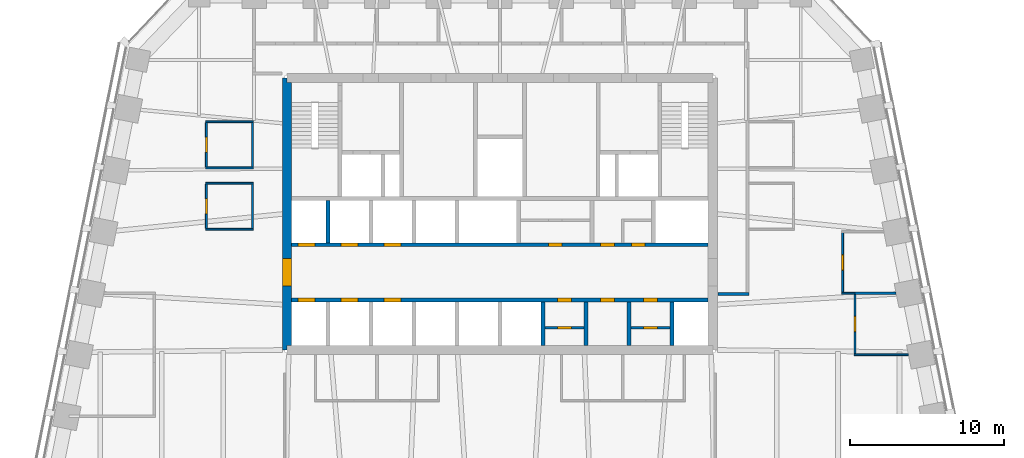
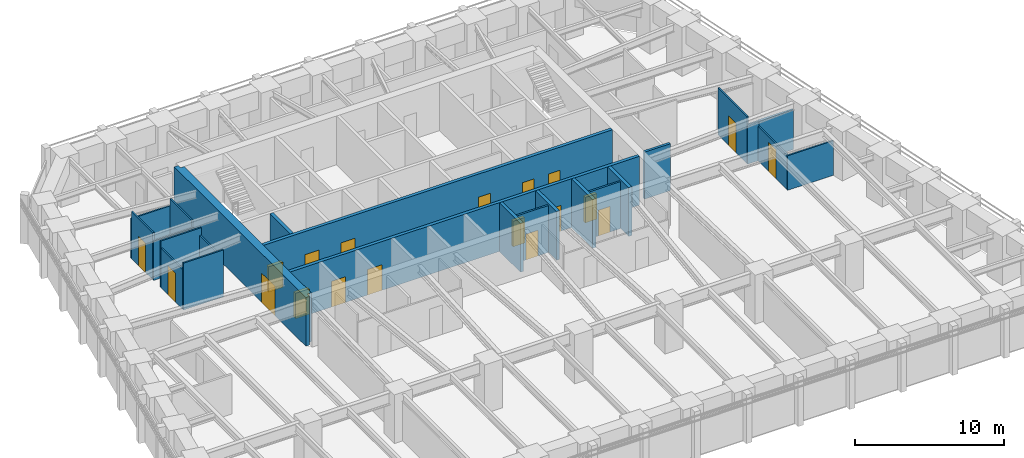
# One storey, part 6 of 10: 24 walls, 19 doors, 19 openings.
"""IFC4 building model written with IfcOpenShell, lengths in metres."""

from ifc_helpers import new_model, si_unit, direction, frame, frame_2d, origin, place, context, subcontext, project, spatial, polyline, rectangle, outline, extrude, material, layer, layer_set, type_object, element, fill, save


model = new_model("IFC4")

# Units and contexts
model_context = context("Model", 3, precision=1e-05, world=origin(), true_north=direction((0.0, 1.0)))
body_context = subcontext(model_context, "Body", "Model", "MODEL_VIEW")
ifc_project = project(units=[si_unit("LENGTHUNIT", "METRE"), si_unit("AREAUNIT", "SQUARE_METRE"), si_unit("VOLUMEUNIT", "CUBIC_METRE"), si_unit("PLANEANGLEUNIT", "RADIAN"), si_unit("MASSUNIT", "GRAM", prefix="KILO")], contexts=[model_context])

# Site, building, storey
site_placement = place(None, origin())
site = spatial("IfcSite", under=ifc_project, at=site_placement, CompositionType="ELEMENT")
building_placement = place(site_placement, origin())
building = spatial("IfcBuilding", under=site, at=building_placement, Name="Isbrekke Arena Tower", CompositionType="ELEMENT")
storey_placement = place(building_placement, frame((0.0, 0.0, 214.0)))
storey = spatial("IfcBuildingStorey", under=building, at=storey_placement, Name="L49", CompositionType="ELEMENT", Elevation=214.0)

# Wall, opening, door
ifc_material_1 = material(Name="Concrete B55 (C55/67)", Category="concrete")
ifc_layer_1 = layer(ifc_material_1, 0.60009765625)
ifc_layer_set_1 = layer_set([ifc_layer_1], Name="CW4 CORE WALL 600")
wall_type_1 = type_object("IfcWallType", Name="CW4 CORE WALL 600", PredefinedType="SHEAR", material=ifc_layer_set_1)
wall_1_placement = place(storey_placement, frame((-13.85009765625, 23.85009765625, 0.0), z_axis=(0.0, 0.0, 1.0), x_axis=(0.0, -1.0, 0.0)))
wall_1 = element("IfcWall", 1, at=wall_1_placement, inside=storey, type_object=wall_type_1, Name="Core wall W L49", PredefinedType="SHEAR", context=body_context, shape_type="SweptSolid", body=[
    extrude(outline(polyline([(0.0, -0.300048828125), (17.7001953125, -0.300048828125), (17.7001953125, 0.0), (17.400146484375, 0.0), (17.400146484375, 0.300048828125), (0.300048828125, 0.300048828125), (0.300048828125, 0.0), (0.0, 0.0), (0.0, -0.300048828125)])), origin(), (0.0, 0.0, 1.0), 4.0),
])
opening_1_placement = place(wall_1_placement, frame((11.75, 0.0, 0.0)))
opening_1 = element("IfcOpeningElement", 2, at=opening_1_placement, cuts=wall_1, Name="Opening D1", PredefinedType="OPENING", context=body_context, shape_type="SweptSolid", body=[
    extrude(rectangle(XDim=1.800048828125, YDim=2.39990234375, at=frame_2d((0.89990234375, 1.199951171875))), frame((0.0, 0.31494140625, 0.0), z_axis=(0.0, -1.0, 0.0), x_axis=(1.0, 0.0, 0.0)), (0.0, 0.0, 1.0), 0.6298828125),
])
ifc_material_2 = material(Name="Steel-framed glazed fire door", Category="steel")
door_type_1 = type_object("IfcDoorType", Name="D1 CORE LOBBY DOOR 1800 x 2400", OperationType="DOUBLE_DOOR_SINGLE_SWING", PredefinedType="DOOR", material=ifc_material_2)
door_1_placement = place(opening_1_placement, origin())
door_1 = element("IfcDoor", 3, at=door_1_placement, inside=storey, type_object=door_type_1, Name="D1 lift lobby door west L49", OperationType="DOUBLE_DOOR_SINGLE_SWING", OverallHeight=2.39990234375, OverallWidth=1.800048828125, PredefinedType="DOOR", context=body_context, shape_type="SweptSolid", body=[
    extrude(rectangle(XDim=1.800048828125, YDim=2.39990234375, at=frame_2d((0.89990234375, 1.199951171875))), frame((0.0, 0.2998046875, 0.0), z_axis=(0.0, -1.0, 0.0), x_axis=(1.0, 0.0, 0.0)), (0.0, 0.0, 1.0), 0.599609375),
])
fill(opening_1, door_1)

# Wall, openings, doors
ifc_material_3 = material(Name="Concrete B45 (C45/55)", Category="concrete")
ifc_layer_2 = layer(ifc_material_3, 0.25)
ifc_layer_set_2 = layer_set([ifc_layer_2], Name="CW6 SHAFT WALL 250")
wall_type_2 = type_object("IfcWallType", Name="CW6 SHAFT WALL 250", PredefinedType="SHEAR", material=ifc_layer_set_2)
wall_2_placement = place(storey_placement, frame((-13.550048828125, 9.39990234375, 0.0), z_axis=(0.0, 0.0, 1.0), x_axis=(1.0, 0.0, 0.0)))
wall_2 = element("IfcWall", 4, at=wall_2_placement, inside=storey, type_object=wall_type_2, Name="Core wall LS L49", PredefinedType="SHEAR", context=body_context, shape_type="SweptSolid", body=[
    extrude(rectangle(XDim=27.10009765625, YDim=0.25, at=frame_2d((13.550048828125, 0.0))), origin(), (0.0, 0.0, 1.0), 4.0),
])
opening_2_placement = place(wall_2_placement, frame((0.39990234375, 0.0, 0.0)))
opening_2 = element("IfcOpeningElement", 5, at=opening_2_placement, cuts=wall_2, Name="Opening LD1", PredefinedType="OPENING", context=body_context, shape_type="SweptSolid", body=[
    extrude(rectangle(XDim=1.10009765625, YDim=2.10009765625, at=frame_2d((0.550048828125, 1.050048828125))), frame((0.0, 0.139892578125, 0.0), z_axis=(0.0, -1.0, 0.0), x_axis=(1.0, 0.0, 0.0)), (0.0, 0.0, 1.0), 0.27978515625),
])
opening_3_placement = place(wall_2_placement, frame((3.199951171875, 0.0, 0.0)))
opening_3 = element("IfcOpeningElement", 6, at=opening_3_placement, cuts=wall_2, Name="Opening LD1", PredefinedType="OPENING", context=body_context, shape_type="SweptSolid", body=[
    extrude(rectangle(XDim=1.10009765625, YDim=2.10009765625, at=frame_2d((0.550048828125, 1.050048828125))), frame((0.0, 0.139892578125, 0.0), z_axis=(0.0, -1.0, 0.0), x_axis=(1.0, 0.0, 0.0)), (0.0, 0.0, 1.0), 0.27978515625),
])
opening_4_placement = place(wall_2_placement, frame((6.0, 0.0, 0.0)))
opening_4 = element("IfcOpeningElement", 7, at=opening_4_placement, cuts=wall_2, Name="Opening LD1", PredefinedType="OPENING", context=body_context, shape_type="SweptSolid", body=[
    extrude(rectangle(XDim=1.10009765625, YDim=2.10009765625, at=frame_2d((0.550048828125, 1.050048828125))), frame((0.0, 0.139892578125, 0.0), z_axis=(0.0, -1.0, 0.0), x_axis=(1.0, 0.0, 0.0)), (0.0, 0.0, 1.0), 0.27978515625),
])
opening_5_placement = place(wall_2_placement, frame((17.300048828125, 0.0, 0.0)))
opening_5 = element("IfcOpeningElement", 8, at=opening_5_placement, cuts=wall_2, Name="Opening D5", PredefinedType="OPENING", context=body_context, shape_type="SweptSolid", body=[
    extrude(rectangle(XDim=0.89990234375, YDim=2.10009765625, at=frame_2d((0.449951171875, 1.050048828125))), frame((0.0, 0.139892578125, 0.0), z_axis=(0.0, -1.0, 0.0), x_axis=(1.0, 0.0, 0.0)), (0.0, 0.0, 1.0), 0.27978515625),
])
opening_6_placement = place(wall_2_placement, frame((20.10009765625, 0.0, 0.0)))
opening_6 = element("IfcOpeningElement", 9, at=opening_6_placement, cuts=wall_2, Name="Opening D5", PredefinedType="OPENING", context=body_context, shape_type="SweptSolid", body=[
    extrude(rectangle(XDim=0.89990234375, YDim=2.10009765625, at=frame_2d((0.449951171875, 1.050048828125))), frame((0.0, 0.139892578125, 0.0), z_axis=(0.0, -1.0, 0.0), x_axis=(1.0, 0.0, 0.0)), (0.0, 0.0, 1.0), 0.27978515625),
])
opening_7_placement = place(wall_2_placement, frame((22.89990234375, 0.0, 0.0)))
opening_7 = element("IfcOpeningElement", 10, at=opening_7_placement, cuts=wall_2, Name="Opening D5", PredefinedType="OPENING", context=body_context, shape_type="SweptSolid", body=[
    extrude(rectangle(XDim=0.89990234375, YDim=2.10009765625, at=frame_2d((0.449951171875, 1.050048828125))), frame((0.0, 0.139892578125, 0.0), z_axis=(0.0, -1.0, 0.0), x_axis=(1.0, 0.0, 0.0)), (0.0, 0.0, 1.0), 0.27978515625),
])
ifc_material_4 = material(Name="Steel fire door", Category="steel")
door_type_2 = type_object("IfcDoorType", Name="D5 SERVICE DOOR 900 x 2100", OperationType="SINGLE_SWING_LEFT", PredefinedType="DOOR", material=ifc_material_4)
door_2_placement = place(opening_5_placement, origin())
door_2 = element("IfcDoor", 11, at=door_2_placement, inside=storey, type_object=door_type_2, Name="D5 tea point door L49", OperationType="SINGLE_SWING_LEFT", OverallHeight=2.10009765625, OverallWidth=0.89990234375, PredefinedType="DOOR", context=body_context, shape_type="SweptSolid", body=[
    extrude(rectangle(XDim=0.89990234375, YDim=2.10009765625, at=frame_2d((0.449951171875, 1.050048828125))), frame((0.0, 0.124755859375, 0.0), z_axis=(0.0, -1.0, 0.0), x_axis=(1.0, 0.0, 0.0)), (0.0, 0.0, 1.0), 0.24951171875),
])
fill(opening_5, door_2)
door_3_placement = place(opening_6_placement, origin())
door_3 = element("IfcDoor", 12, at=door_3_placement, inside=storey, type_object=door_type_2, Name="D5 technical room door L49", OperationType="SINGLE_SWING_LEFT", OverallHeight=2.10009765625, OverallWidth=0.89990234375, PredefinedType="DOOR", context=body_context, shape_type="SweptSolid", body=[
    extrude(rectangle(XDim=0.89990234375, YDim=2.10009765625, at=frame_2d((0.449951171875, 1.050048828125))), frame((0.0, 0.124755859375, 0.0), z_axis=(0.0, -1.0, 0.0), x_axis=(1.0, 0.0, 0.0)), (0.0, 0.0, 1.0), 0.24951171875),
])
fill(opening_6, door_3)
door_4_placement = place(opening_7_placement, origin())
door_4 = element("IfcDoor", 13, at=door_4_placement, inside=storey, type_object=door_type_2, Name="D5 first-aid room door L49", OperationType="SINGLE_SWING_LEFT", OverallHeight=2.10009765625, OverallWidth=0.89990234375, PredefinedType="DOOR", context=body_context, shape_type="SweptSolid", body=[
    extrude(rectangle(XDim=0.89990234375, YDim=2.10009765625, at=frame_2d((0.449951171875, 1.050048828125))), frame((0.0, 0.124755859375, 0.0), z_axis=(0.0, -1.0, 0.0), x_axis=(1.0, 0.0, 0.0)), (0.0, 0.0, 1.0), 0.24951171875),
])
fill(opening_7, door_4)
ifc_material_5 = material(Name="Stainless steel lift landing door", Category="steel")
door_type_3 = type_object("IfcDoorType", Name="LD1 LIFT LANDING DOOR 1100 x 2100", OperationType="SLIDING_TO_LEFT", PredefinedType="DOOR", material=ifc_material_5)
door_5_placement = place(opening_2_placement, origin())
door_5 = element("IfcDoor", 14, at=door_5_placement, inside=storey, type_object=door_type_3, Name="LD1 lift landing door LC L49", OperationType="SLIDING_TO_LEFT", OverallHeight=2.10009765625, OverallWidth=1.10009765625, PredefinedType="DOOR", context=body_context, shape_type="SweptSolid", body=[
    extrude(rectangle(XDim=1.10009765625, YDim=2.10009765625, at=frame_2d((0.550048828125, 1.050048828125))), frame((0.0, 0.124755859375, 0.0), z_axis=(0.0, -1.0, 0.0), x_axis=(1.0, 0.0, 0.0)), (0.0, 0.0, 1.0), 0.24951171875),
])
fill(opening_2, door_5)
door_6_placement = place(opening_3_placement, origin())
door_6 = element("IfcDoor", 15, at=door_6_placement, inside=storey, type_object=door_type_3, Name="LD1 lift landing door LC L49", OperationType="SLIDING_TO_LEFT", OverallHeight=2.10009765625, OverallWidth=1.10009765625, PredefinedType="DOOR", context=body_context, shape_type="SweptSolid", body=[
    extrude(rectangle(XDim=1.10009765625, YDim=2.10009765625, at=frame_2d((0.550048828125, 1.050048828125))), frame((0.0, 0.124755859375, 0.0), z_axis=(0.0, -1.0, 0.0), x_axis=(1.0, 0.0, 0.0)), (0.0, 0.0, 1.0), 0.24951171875),
])
fill(opening_3, door_6)
door_7_placement = place(opening_4_placement, origin())
door_7 = element("IfcDoor", 16, at=door_7_placement, inside=storey, type_object=door_type_3, Name="LD1 lift landing door LC L49", OperationType="SLIDING_TO_LEFT", OverallHeight=2.10009765625, OverallWidth=1.10009765625, PredefinedType="DOOR", context=body_context, shape_type="SweptSolid", body=[
    extrude(rectangle(XDim=1.10009765625, YDim=2.10009765625, at=frame_2d((0.550048828125, 1.050048828125))), frame((0.0, 0.124755859375, 0.0), z_axis=(0.0, -1.0, 0.0), x_axis=(1.0, 0.0, 0.0)), (0.0, 0.0, 1.0), 0.24951171875),
])
fill(opening_4, door_7)

wall_3_placement = place(storey_placement, frame((-13.550048828125, 13.0, 0.0), z_axis=(0.0, 0.0, 1.0), x_axis=(1.0, 0.0, 0.0)))
wall_3 = element("IfcWall", 17, at=wall_3_placement, inside=storey, type_object=wall_type_2, Name="Core wall LN L49", PredefinedType="SHEAR", context=body_context, shape_type="SweptSolid", body=[
    extrude(rectangle(XDim=27.10009765625, YDim=0.25, at=frame_2d((13.550048828125, 0.0))), origin(), (0.0, 0.0, 1.0), 4.0),
])
opening_8_placement = place(wall_3_placement, frame((0.39990234375, 0.0, 0.0)))
opening_8 = element("IfcOpeningElement", 18, at=opening_8_placement, cuts=wall_3, Name="Opening LD1", PredefinedType="OPENING", context=body_context, shape_type="SweptSolid", body=[
    extrude(rectangle(XDim=1.10009765625, YDim=2.10009765625, at=frame_2d((0.550048828125, 1.050048828125))), frame((0.0, 0.139892578125, 0.0), z_axis=(0.0, -1.0, 0.0), x_axis=(1.0, 0.0, 0.0)), (0.0, 0.0, 1.0), 0.27978515625),
])
opening_9_placement = place(wall_3_placement, frame((3.199951171875, 0.0, 0.0)))
opening_9 = element("IfcOpeningElement", 19, at=opening_9_placement, cuts=wall_3, Name="Opening LD1", PredefinedType="OPENING", context=body_context, shape_type="SweptSolid", body=[
    extrude(rectangle(XDim=1.10009765625, YDim=2.10009765625, at=frame_2d((0.550048828125, 1.050048828125))), frame((0.0, 0.139892578125, 0.0), z_axis=(0.0, -1.0, 0.0), x_axis=(1.0, 0.0, 0.0)), (0.0, 0.0, 1.0), 0.27978515625),
])
opening_10_placement = place(wall_3_placement, frame((6.0, 0.0, 0.0)))
opening_10 = element("IfcOpeningElement", 20, at=opening_10_placement, cuts=wall_3, Name="Opening LD1", PredefinedType="OPENING", context=body_context, shape_type="SweptSolid", body=[
    extrude(rectangle(XDim=1.10009765625, YDim=2.10009765625, at=frame_2d((0.550048828125, 1.050048828125))), frame((0.0, 0.139892578125, 0.0), z_axis=(0.0, -1.0, 0.0), x_axis=(1.0, 0.0, 0.0)), (0.0, 0.0, 1.0), 0.27978515625),
])
opening_11_placement = place(wall_3_placement, frame((16.699951171875, 0.0, 0.0)))
opening_11 = element("IfcOpeningElement", 21, at=opening_11_placement, cuts=wall_3, Name="Opening D5", PredefinedType="OPENING", context=body_context, shape_type="SweptSolid", body=[
    extrude(rectangle(XDim=0.89990234375, YDim=2.10009765625, at=frame_2d((0.449951171875, 1.050048828125))), frame((0.0, 0.139892578125, 0.0), z_axis=(0.0, -1.0, 0.0), x_axis=(1.0, 0.0, 0.0)), (0.0, 0.0, 1.0), 0.27978515625),
])
opening_12_placement = place(wall_3_placement, frame((20.10009765625, 0.0, 0.0)))
opening_12 = element("IfcOpeningElement", 22, at=opening_12_placement, cuts=wall_3, Name="Opening D5", PredefinedType="OPENING", context=body_context, shape_type="SweptSolid", body=[
    extrude(rectangle(XDim=0.89990234375, YDim=2.10009765625, at=frame_2d((0.449951171875, 1.050048828125))), frame((0.0, 0.139892578125, 0.0), z_axis=(0.0, -1.0, 0.0), x_axis=(1.0, 0.0, 0.0)), (0.0, 0.0, 1.0), 0.27978515625),
])
opening_13_placement = place(wall_3_placement, frame((22.10009765625, 0.0, 0.0)))
opening_13 = element("IfcOpeningElement", 23, at=opening_13_placement, cuts=wall_3, Name="Opening D5", PredefinedType="OPENING", context=body_context, shape_type="SweptSolid", body=[
    extrude(rectangle(XDim=0.89990234375, YDim=2.10009765625, at=frame_2d((0.449951171875, 1.050048828125))), frame((0.0, 0.139892578125, 0.0), z_axis=(0.0, -1.0, 0.0), x_axis=(1.0, 0.0, 0.0)), (0.0, 0.0, 1.0), 0.27978515625),
])
door_8_placement = place(opening_11_placement, origin())
door_8 = element("IfcDoor", 24, at=door_8_placement, inside=storey, type_object=door_type_2, Name="D5 print room door L49", OperationType="SINGLE_SWING_LEFT", OverallHeight=2.10009765625, OverallWidth=0.89990234375, PredefinedType="DOOR", context=body_context, shape_type="SweptSolid", body=[
    extrude(rectangle(XDim=0.89990234375, YDim=2.10009765625, at=frame_2d((0.449951171875, 1.050048828125))), frame((0.0, 0.124755859375, 0.0), z_axis=(0.0, -1.0, 0.0), x_axis=(1.0, 0.0, 0.0)), (0.0, 0.0, 1.0), 0.24951171875),
])
fill(opening_11, door_8)
door_9_placement = place(opening_12_placement, origin())
door_9 = element("IfcDoor", 25, at=door_9_placement, inside=storey, type_object=door_type_2, Name="D5 communications room door L49", OperationType="SINGLE_SWING_LEFT", OverallHeight=2.10009765625, OverallWidth=0.89990234375, PredefinedType="DOOR", context=body_context, shape_type="SweptSolid", body=[
    extrude(rectangle(XDim=0.89990234375, YDim=2.10009765625, at=frame_2d((0.449951171875, 1.050048828125))), frame((0.0, 0.124755859375, 0.0), z_axis=(0.0, -1.0, 0.0), x_axis=(1.0, 0.0, 0.0)), (0.0, 0.0, 1.0), 0.24951171875),
])
fill(opening_12, door_9)
door_10_placement = place(opening_13_placement, origin())
door_10 = element("IfcDoor", 26, at=door_10_placement, inside=storey, type_object=door_type_2, Name="D5 cleaner's store door L49", OperationType="SINGLE_SWING_LEFT", OverallHeight=2.10009765625, OverallWidth=0.89990234375, PredefinedType="DOOR", context=body_context, shape_type="SweptSolid", body=[
    extrude(rectangle(XDim=0.89990234375, YDim=2.10009765625, at=frame_2d((0.449951171875, 1.050048828125))), frame((0.0, 0.124755859375, 0.0), z_axis=(0.0, -1.0, 0.0), x_axis=(1.0, 0.0, 0.0)), (0.0, 0.0, 1.0), 0.24951171875),
])
fill(opening_13, door_10)
door_11_placement = place(opening_8_placement, origin())
door_11 = element("IfcDoor", 27, at=door_11_placement, inside=storey, type_object=door_type_3, Name="LD1 lift landing door LC L49", OperationType="SLIDING_TO_LEFT", OverallHeight=2.10009765625, OverallWidth=1.10009765625, PredefinedType="DOOR", context=body_context, shape_type="SweptSolid", body=[
    extrude(rectangle(XDim=1.10009765625, YDim=2.10009765625, at=frame_2d((0.550048828125, 1.050048828125))), frame((0.0, 0.124755859375, 0.0), z_axis=(0.0, -1.0, 0.0), x_axis=(1.0, 0.0, 0.0)), (0.0, 0.0, 1.0), 0.24951171875),
])
fill(opening_8, door_11)
door_12_placement = place(opening_9_placement, origin())
door_12 = element("IfcDoor", 28, at=door_12_placement, inside=storey, type_object=door_type_3, Name="LD1 lift landing door LC L49", OperationType="SLIDING_TO_LEFT", OverallHeight=2.10009765625, OverallWidth=1.10009765625, PredefinedType="DOOR", context=body_context, shape_type="SweptSolid", body=[
    extrude(rectangle(XDim=1.10009765625, YDim=2.10009765625, at=frame_2d((0.550048828125, 1.050048828125))), frame((0.0, 0.124755859375, 0.0), z_axis=(0.0, -1.0, 0.0), x_axis=(1.0, 0.0, 0.0)), (0.0, 0.0, 1.0), 0.24951171875),
])
fill(opening_9, door_12)
door_13_placement = place(opening_10_placement, origin())
door_13 = element("IfcDoor", 29, at=door_13_placement, inside=storey, type_object=door_type_3, Name="LD1 lift landing door LC L49", OperationType="SLIDING_TO_LEFT", OverallHeight=2.10009765625, OverallWidth=1.10009765625, PredefinedType="DOOR", context=body_context, shape_type="SweptSolid", body=[
    extrude(rectangle(XDim=1.10009765625, YDim=2.10009765625, at=frame_2d((0.550048828125, 1.050048828125))), frame((0.0, 0.124755859375, 0.0), z_axis=(0.0, -1.0, 0.0), x_axis=(1.0, 0.0, 0.0)), (0.0, 0.0, 1.0), 0.24951171875),
])
fill(opening_10, door_13)

# Walls
for number, where, z_axis, x_axis, name in (
    (30, (2.800048828125, 6.449951171875, 0.0), (0.0, 0.0, 1.0), (0.0, 1.0, 0.0), "Core wall SS06 L49"),
    (31, (5.60009765625, 6.449951171875, 0.0), (0.0, 0.0, 1.0), (0.0, 1.0, 0.0), "Core wall SS07 L49"),
    (32, (8.39990234375, 6.449951171875, 0.0), (0.0, 0.0, 1.0), (0.0, 1.0, 0.0), "Core wall SS08 L49"),
    (33, (11.199951171875, 6.449951171875, 0.0), (0.0, 0.0, 1.0), (0.0, 1.0, 0.0), "Core wall SS09 L49"),
):
    element("IfcWall", number, at=place(storey_placement, frame(where, z_axis=z_axis, x_axis=x_axis)), inside=storey, type_object=wall_type_2, Name=name, PredefinedType="SHEAR", context=body_context, shape_type="SweptSolid", body=[
        extrude(rectangle(XDim=2.824951171875, YDim=0.25, at=frame_2d((1.41259765625, 0.0))), origin(), (0.0, 0.0, 1.0), 4.0),
    ])
wall_4_placement = place(storey_placement, frame((-11.199951171875, 13.125, 0.0), z_axis=(0.0, 0.0, 1.0), x_axis=(0.0, 1.0, 0.0)))
element("IfcWall", 34, at=wall_4_placement, inside=storey, type_object=wall_type_2, Name="Core wall SN01 L49", PredefinedType="SHEAR", context=body_context, shape_type="SweptSolid", body=[
    extrude(rectangle(XDim=2.75, YDim=0.25, at=frame_2d((1.375, 0.0))), origin(), (0.0, 0.0, 1.0), 4.0),
])
ifc_material_6 = material(Name="Frameless glazed partition, laminated acoustic glass", Category="glass")
ifc_layer_3 = layer(ifc_material_6, 0.1201171875)
ifc_layer_set_3 = layer_set([ifc_layer_3], Name="IW2 GLAZED PARTITION 120")
wall_type_3 = type_object("IfcWallType", Name="IW2 GLAZED PARTITION 120", PredefinedType="PARTITIONING", material=ifc_layer_set_3)
wall_5_placement = place(storey_placement, frame((23.0400390625, 5.840087890625, 0.0), z_axis=(0.0, 0.0, 1.0), x_axis=(1.0, 0.0, 0.0)))
element("IfcWall", 35, at=wall_5_placement, inside=storey, type_object=wall_type_3, Name="IW2 glazed partition 120 L49", PredefinedType="PARTITIONING", context=body_context, shape_type="SweptSolid", body=[
    extrude(rectangle(XDim=3.53466796875, YDim=0.1201171875, at=frame_2d((1.767333984375, 0.0))), origin(), (0.0, 0.0, 1.0), 2.842041015625),
])
wall_6_placement = place(storey_placement, frame((22.239990234375, 9.840087890625, 0.0), z_axis=(0.0, 0.0, 1.0), x_axis=(1.0, 0.0, 0.0)))
element("IfcWall", 36, at=wall_6_placement, inside=storey, type_object=wall_type_3, Name="IW2 glazed partition 120 L49", PredefinedType="PARTITIONING", context=body_context, shape_type="SweptSolid", body=[
    extrude(rectangle(XDim=0.860107421875, YDim=0.1201171875, at=frame_2d((0.43017578125, 0.0))), origin(), (0.0, 0.0, 1.0), 3.25),
])
for number, where, z_axis, x_axis, name in (
    (37, (-19.159912109375, 14.0, 0.0), (0.0, 0.0, 1.0), (1.0, 0.0, 0.0), "IW2 glazed partition 120 L49"),
    (38, (-19.159912109375, 17.0, 0.0), (0.0, 0.0, 1.0), (1.0, 0.0, 0.0), "IW2 glazed partition 120 L49"),
):
    element("IfcWall", number, at=place(storey_placement, frame(where, z_axis=z_axis, x_axis=x_axis)), inside=storey, type_object=wall_type_3, Name=name, PredefinedType="PARTITIONING", context=body_context, shape_type="SweptSolid", body=[
        extrude(rectangle(XDim=3.119873046875, YDim=0.1201171875, at=frame_2d((1.56005859375, 0.0))), origin(), (0.0, 0.0, 1.0), 3.85009765625),
    ])
for number, where, z_axis, x_axis, name in (
    (39, (-19.159912109375, 18.0, 0.0), (0.0, 0.0, 1.0), (1.0, 0.0, 0.0), "IW2 glazed partition 120 L49"),
    (40, (-19.159912109375, 21.0, 0.0), (0.0, 0.0, 1.0), (1.0, 0.0, 0.0), "IW2 glazed partition 120 L49"),
):
    element("IfcWall", number, at=place(storey_placement, frame(where, z_axis=z_axis, x_axis=x_axis)), inside=storey, type_object=wall_type_3, Name=name, PredefinedType="PARTITIONING", context=body_context, shape_type="SweptSolid", body=[
        extrude(rectangle(XDim=3.119873046875, YDim=0.1201171875, at=frame_2d((1.56005859375, 0.0))), origin(), (0.0, 0.0, 1.0), 3.25),
    ])

# Wall, opening, door
wall_7_placement = place(storey_placement, frame((-19.10009765625, 14.06005859375, 0.0), z_axis=(0.0, 0.0, 1.0), x_axis=(0.0, 1.0, 0.0)))
wall_7 = element("IfcWall", 41, at=wall_7_placement, inside=storey, type_object=wall_type_3, Name="IW2 glazed partition 120 L49", PredefinedType="PARTITIONING", context=body_context, shape_type="SweptSolid", body=[
    extrude(rectangle(XDim=2.8798828125, YDim=0.1201171875, at=frame_2d((1.43994140625, 0.0))), origin(), (0.0, 0.0, 1.0), 3.25),
])
opening_14_placement = place(wall_7_placement, frame((0.93994140625, 0.0, 0.0)))
opening_14 = element("IfcOpeningElement", 42, at=opening_14_placement, cuts=wall_7, Name="Opening D11", PredefinedType="OPENING", context=body_context, shape_type="SweptSolid", body=[
    extrude(rectangle(XDim=1.0, YDim=2.39990234375, at=frame_2d((0.5, 1.199951171875))), frame((0.0, 0.074951171875, 0.0), z_axis=(0.0, -1.0, 0.0), x_axis=(1.0, 0.0, 0.0)), (0.0, 0.0, 1.0), 0.14990234375),
])
ifc_material_7 = material(Name="Frameless glazed door", Category="glass")
door_type_4 = type_object("IfcDoorType", Name="D11 GLAZED MEETING ROOM DOOR 1000 x 2400", OperationType="SINGLE_SWING_RIGHT", PredefinedType="DOOR", material=ifc_material_7)
door_14_placement = place(opening_14_placement, origin())
door_14 = element("IfcDoor", 43, at=door_14_placement, inside=storey, type_object=door_type_4, Name="D11 quiet room door L49", OperationType="SINGLE_SWING_RIGHT", OverallHeight=2.39990234375, OverallWidth=1.0, PredefinedType="DOOR", context=body_context, shape_type="SweptSolid", body=[
    extrude(rectangle(XDim=1.0, YDim=2.39990234375, at=frame_2d((0.5, 1.199951171875))), frame((0.0, 0.059814453125, 0.0), z_axis=(0.0, -1.0, 0.0), x_axis=(1.0, 0.0, 0.0)), (0.0, 0.0, 1.0), 0.11962890625),
])
fill(opening_14, door_14)

wall_8_placement = place(storey_placement, frame((-19.10009765625, 18.06005859375, 0.0), z_axis=(0.0, 0.0, 1.0), x_axis=(0.0, 1.0, 0.0)))
wall_8 = element("IfcWall", 44, at=wall_8_placement, inside=storey, type_object=wall_type_3, Name="IW2 glazed partition 120 L49", PredefinedType="PARTITIONING", context=body_context, shape_type="SweptSolid", body=[
    extrude(rectangle(XDim=2.8798828125, YDim=0.1201171875, at=frame_2d((1.43994140625, 0.0))), origin(), (0.0, 0.0, 1.0), 3.85009765625),
])
opening_15_placement = place(wall_8_placement, frame((0.93994140625, 0.0, 0.0)))
opening_15 = element("IfcOpeningElement", 45, at=opening_15_placement, cuts=wall_8, Name="Opening D11", PredefinedType="OPENING", context=body_context, shape_type="SweptSolid", body=[
    extrude(rectangle(XDim=1.0, YDim=2.39990234375, at=frame_2d((0.5, 1.199951171875))), frame((0.0, 0.074951171875, 0.0), z_axis=(0.0, -1.0, 0.0), x_axis=(1.0, 0.0, 0.0)), (0.0, 0.0, 1.0), 0.14990234375),
])
door_15_placement = place(opening_15_placement, origin())
door_15 = element("IfcDoor", 46, at=door_15_placement, inside=storey, type_object=door_type_4, Name="D11 quiet room door L49", OperationType="SINGLE_SWING_RIGHT", OverallHeight=2.39990234375, OverallWidth=1.0, PredefinedType="DOOR", context=body_context, shape_type="SweptSolid", body=[
    extrude(rectangle(XDim=1.0, YDim=2.39990234375, at=frame_2d((0.5, 1.199951171875))), frame((0.0, 0.059814453125, 0.0), z_axis=(0.0, -1.0, 0.0), x_axis=(1.0, 0.0, 0.0)), (0.0, 0.0, 1.0), 0.11962890625),
])
fill(opening_15, door_15)

# Walls
wall_9_placement = place(storey_placement, frame((-16.10009765625, 14.06005859375, 0.0), z_axis=(0.0, 0.0, 1.0), x_axis=(0.0, 1.0, 0.0)))
element("IfcWall", 47, at=wall_9_placement, inside=storey, type_object=wall_type_3, Name="IW2 glazed partition 120 L49", PredefinedType="PARTITIONING", context=body_context, shape_type="SweptSolid", body=[
    extrude(rectangle(XDim=2.8798828125, YDim=0.1201171875, at=frame_2d((1.43994140625, 0.0))), origin(), (0.0, 0.0, 1.0), 3.25),
])
wall_10_placement = place(storey_placement, frame((-16.10009765625, 18.06005859375, 0.0), z_axis=(0.0, 0.0, 1.0), x_axis=(0.0, 1.0, 0.0)))
element("IfcWall", 48, at=wall_10_placement, inside=storey, type_object=wall_type_3, Name="IW2 glazed partition 120 L49", PredefinedType="PARTITIONING", context=body_context, shape_type="SweptSolid", body=[
    extrude(rectangle(XDim=2.8798828125, YDim=0.1201171875, at=frame_2d((1.43994140625, 0.0))), origin(), (0.0, 0.0, 1.0), 3.85009765625),
])

# Wall, opening, door
wall_11_placement = place(storey_placement, frame((22.300048828125, 9.89990234375, 0.0), z_axis=(0.0, 0.0, 1.0), x_axis=(0.0, 1.0, 0.0)))
wall_11 = element("IfcWall", 49, at=wall_11_placement, inside=storey, type_object=wall_type_3, Name="IW2 glazed partition 120 L49", PredefinedType="PARTITIONING", context=body_context, shape_type="SweptSolid", body=[
    extrude(rectangle(XDim=3.880126953125, YDim=0.1201171875, at=frame_2d((1.93994140625, 0.0))), origin(), (0.0, 0.0, 1.0), 3.85009765625),
])
opening_16_placement = place(wall_11_placement, frame((1.43994140625, 0.0, 0.0)))
opening_16 = element("IfcOpeningElement", 50, at=opening_16_placement, cuts=wall_11, Name="Opening D11", PredefinedType="OPENING", context=body_context, shape_type="SweptSolid", body=[
    extrude(rectangle(XDim=1.0, YDim=2.39990234375, at=frame_2d((0.5, 1.199951171875))), frame((0.0, 0.074951171875, 0.0), z_axis=(0.0, -1.0, 0.0), x_axis=(1.0, 0.0, 0.0)), (0.0, 0.0, 1.0), 0.14990234375),
])
door_16_placement = place(opening_16_placement, origin())
door_16 = element("IfcDoor", 51, at=door_16_placement, inside=storey, type_object=door_type_4, Name="D11 meeting room door L49", OperationType="SINGLE_SWING_RIGHT", OverallHeight=2.39990234375, OverallWidth=1.0, PredefinedType="DOOR", context=body_context, shape_type="SweptSolid", body=[
    extrude(rectangle(XDim=1.0, YDim=2.39990234375, at=frame_2d((0.5, 1.199951171875))), frame((0.0, 0.059814453125, 0.0), z_axis=(0.0, -1.0, 0.0), x_axis=(1.0, 0.0, 0.0)), (0.0, 0.0, 1.0), 0.11962890625),
])
fill(opening_16, door_16)

wall_12_placement = place(storey_placement, frame((23.10009765625, 5.89990234375, 0.0), z_axis=(0.0, 0.0, 1.0), x_axis=(0.0, 1.0, 0.0)))
wall_12 = element("IfcWall", 52, at=wall_12_placement, inside=storey, type_object=wall_type_3, Name="IW2 glazed partition 120 L49", PredefinedType="PARTITIONING", context=body_context, shape_type="SweptSolid", body=[
    extrude(rectangle(XDim=3.8525390625, YDim=0.1201171875, at=frame_2d((1.92626953125, 0.0))), origin(), (0.0, 0.0, 1.0), 2.842041015625),
])
opening_17_placement = place(wall_12_placement, frame((1.43994140625, 0.0, 0.0)))
opening_17 = element("IfcOpeningElement", 53, at=opening_17_placement, cuts=wall_12, Name="Opening D11", PredefinedType="OPENING", context=body_context, shape_type="SweptSolid", body=[
    extrude(rectangle(XDim=1.0, YDim=2.39990234375, at=frame_2d((0.5, 1.199951171875))), frame((0.0, 0.074951171875, 0.0), z_axis=(0.0, -1.0, 0.0), x_axis=(1.0, 0.0, 0.0)), (0.0, 0.0, 1.0), 0.14990234375),
])
door_17_placement = place(opening_17_placement, origin())
door_17 = element("IfcDoor", 54, at=door_17_placement, inside=storey, type_object=door_type_4, Name="D11 meeting room door L49", OperationType="SINGLE_SWING_RIGHT", OverallHeight=2.39990234375, OverallWidth=1.0, PredefinedType="DOOR", context=body_context, shape_type="SweptSolid", body=[
    extrude(rectangle(XDim=1.0, YDim=2.39990234375, at=frame_2d((0.5, 1.199951171875))), frame((0.0, 0.059814453125, 0.0), z_axis=(0.0, -1.0, 0.0), x_axis=(1.0, 0.0, 0.0)), (0.0, 0.0, 1.0), 0.11962890625),
])
fill(opening_17, door_17)

# Walls
ifc_material_8 = material(Name="Gypsum board fire-cell wall on steel studs, two layers each side", Category="steel")
ifc_layer_4 = layer(ifc_material_8, 0.199951171875)
ifc_layer_set_4 = layer_set([ifc_layer_4], Name="IW3 FIRE-CELL WALL 200")
wall_type_4 = type_object("IfcWallType", Name="IW3 FIRE-CELL WALL 200", PredefinedType="PARTITIONING", material=ifc_layer_set_4)
wall_13_placement = place(storey_placement, frame((14.179931640625, 9.800048828125, 0.0), z_axis=(0.0, 0.0, 1.0), x_axis=(1.0, 0.0, 0.0)))
element("IfcWall", 55, at=wall_13_placement, inside=storey, type_object=wall_type_4, Name="IW3 fire-cell wall 200 L49", PredefinedType="PARTITIONING", context=body_context, shape_type="SweptSolid", body=[
    extrude(rectangle(XDim=2.02001953125, YDim=0.199951171875, at=frame_2d((1.010009765625, 0.0))), origin(), (0.0, 0.0, 1.0), 3.85009765625),
])
ifc_material_9 = material(Name="Gypsum board acoustic partition on twin steel studs", Category="steel")
ifc_layer_5 = layer(ifc_material_9, 0.175048828125)
ifc_layer_set_5 = layer_set([ifc_layer_5], Name="IW4 ACOUSTIC PARTITION 175")
wall_type_5 = type_object("IfcWallType", Name="IW4 ACOUSTIC PARTITION 175", PredefinedType="PARTITIONING", material=ifc_layer_set_5)
wall_14_placement = place(storey_placement, frame((23.10009765625, 9.840087890625, 0.0), z_axis=(0.0, 0.0, 1.0), x_axis=(1.0, 0.0, 0.0)))
element("IfcWall", 56, at=wall_14_placement, inside=storey, type_object=wall_type_5, Name="IW4 acoustic partition 175 L49", PredefinedType="PARTITIONING", context=body_context, shape_type="SweptSolid", body=[
    extrude(rectangle(XDim=2.6748046875, YDim=0.175048828125, at=frame_2d((1.33740234375, 0.0))), origin(), (0.0, 0.0, 1.0), 3.25),
])

# Wall, opening, door
ifc_material_10 = material(Name="Gypsum board fire-rated partition on steel studs, two layers each side", Category="steel")
ifc_layer_6 = layer(ifc_material_10, 0.14990234375)
ifc_layer_set_6 = layer_set([ifc_layer_6], Name="IW5 FIRE-RATED PARTITION 150")
wall_type_6 = type_object("IfcWallType", Name="IW5 FIRE-RATED PARTITION 150", PredefinedType="PARTITIONING", material=ifc_layer_set_6)
wall_15_placement = place(storey_placement, frame((2.925048828125, 7.60009765625, 0.0), z_axis=(0.0, 0.0, 1.0), x_axis=(1.0, 0.0, 0.0)))
wall_15 = element("IfcWall", 57, at=wall_15_placement, inside=storey, type_object=wall_type_6, Name="IW5 fire-rated partition L49 core service rooms 4", PredefinedType="PARTITIONING", context=body_context, shape_type="SweptSolid", body=[
    extrude(rectangle(XDim=2.550048828125, YDim=0.14990234375, at=frame_2d((1.27490234375, 0.0))), origin(), (0.0, 0.0, 1.0), 3.85009765625),
])
opening_18_placement = place(wall_15_placement, frame((0.824951171875, 0.0, 0.0)))
opening_18 = element("IfcOpeningElement", 58, at=opening_18_placement, cuts=wall_15, Name="Opening D5", PredefinedType="OPENING", context=body_context, shape_type="SweptSolid", body=[
    extrude(rectangle(XDim=0.89990234375, YDim=2.10009765625, at=frame_2d((0.449951171875, 1.050048828125))), frame((0.0, 0.08984375, 0.0), z_axis=(0.0, -1.0, 0.0), x_axis=(1.0, 0.0, 0.0)), (0.0, 0.0, 1.0), 0.1796875),
])
door_18_placement = place(opening_18_placement, origin())
door_18 = element("IfcDoor", 59, at=door_18_placement, inside=storey, type_object=door_type_2, Name="D5 store door L49", OperationType="SINGLE_SWING_LEFT", OverallHeight=2.10009765625, OverallWidth=0.89990234375, PredefinedType="DOOR", context=body_context, shape_type="SweptSolid", body=[
    extrude(rectangle(XDim=0.89990234375, YDim=2.10009765625, at=frame_2d((0.449951171875, 1.050048828125))), frame((0.0, 0.07470703125, 0.0), z_axis=(0.0, -1.0, 0.0), x_axis=(1.0, 0.0, 0.0)), (0.0, 0.0, 1.0), 0.1494140625),
])
fill(opening_18, door_18)

wall_16_placement = place(storey_placement, frame((8.52490234375, 7.60009765625, 0.0), z_axis=(0.0, 0.0, 1.0), x_axis=(1.0, 0.0, 0.0)))
wall_16 = element("IfcWall", 60, at=wall_16_placement, inside=storey, type_object=wall_type_6, Name="IW5 fire-rated partition L49 core service rooms 5", PredefinedType="PARTITIONING", context=body_context, shape_type="SweptSolid", body=[
    extrude(rectangle(XDim=2.550048828125, YDim=0.14990234375, at=frame_2d((1.27490234375, 0.0))), origin(), (0.0, 0.0, 1.0), 3.85009765625),
])
opening_19_placement = place(wall_16_placement, frame((0.824951171875, 0.0, 0.0)))
opening_19 = element("IfcOpeningElement", 61, at=opening_19_placement, cuts=wall_16, Name="Opening D5", PredefinedType="OPENING", context=body_context, shape_type="SweptSolid", body=[
    extrude(rectangle(XDim=0.89990234375, YDim=2.10009765625, at=frame_2d((0.449951171875, 1.050048828125))), frame((0.0, 0.08984375, 0.0), z_axis=(0.0, -1.0, 0.0), x_axis=(1.0, 0.0, 0.0)), (0.0, 0.0, 1.0), 0.1796875),
])
door_19_placement = place(opening_19_placement, origin())
door_19 = element("IfcDoor", 62, at=door_19_placement, inside=storey, type_object=door_type_2, Name="D5 store door L49", OperationType="SINGLE_SWING_LEFT", OverallHeight=2.10009765625, OverallWidth=0.89990234375, PredefinedType="DOOR", context=body_context, shape_type="SweptSolid", body=[
    extrude(rectangle(XDim=0.89990234375, YDim=2.10009765625, at=frame_2d((0.449951171875, 1.050048828125))), frame((0.0, 0.07470703125, 0.0), z_axis=(0.0, -1.0, 0.0), x_axis=(1.0, 0.0, 0.0)), (0.0, 0.0, 1.0), 0.1494140625),
])
fill(opening_19, door_19)

save(model, "model.ifc")
